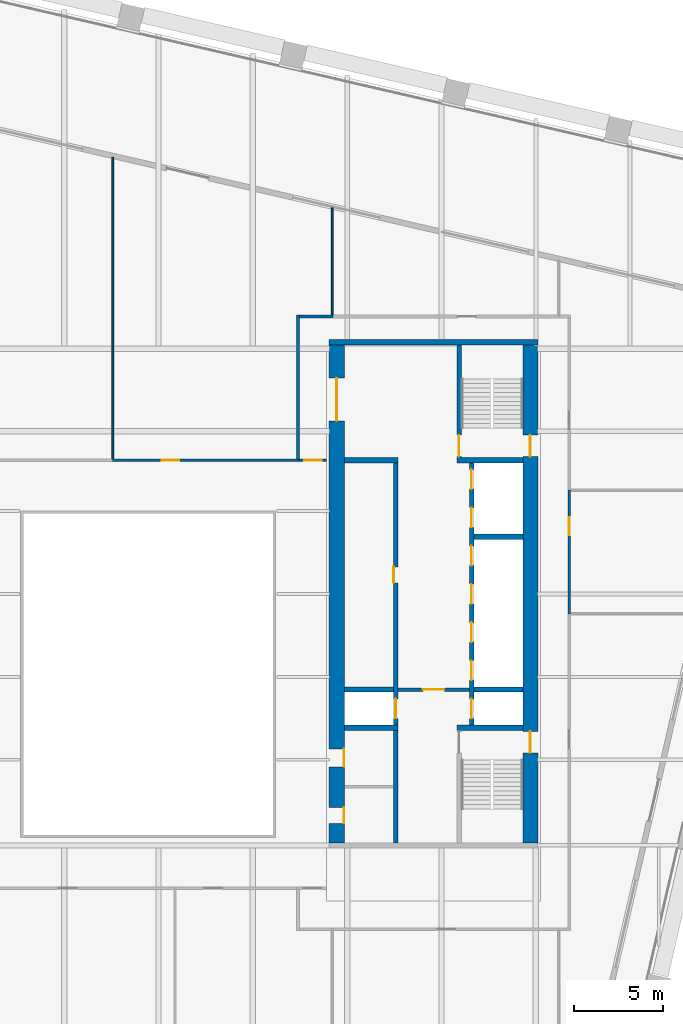
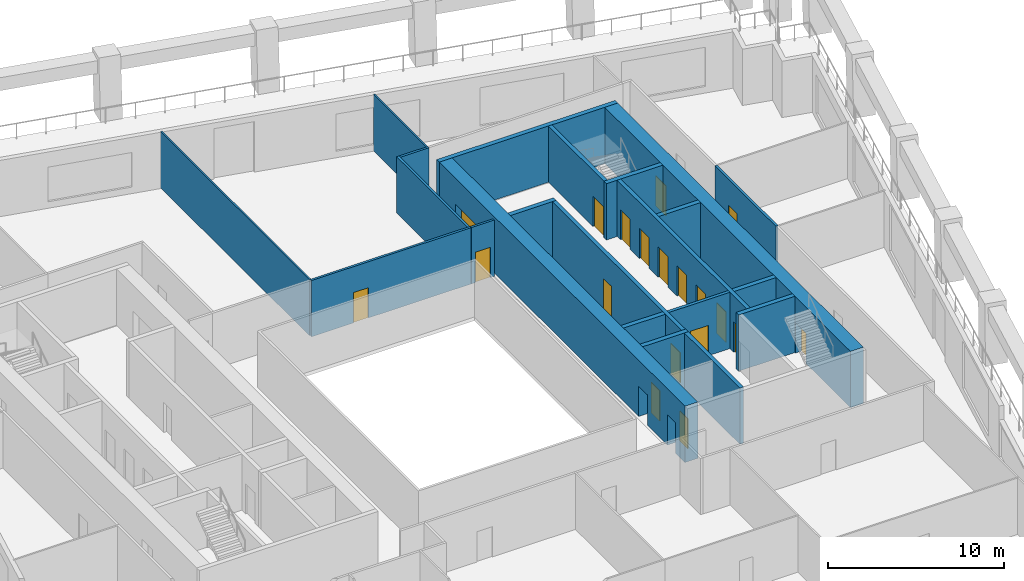
# One storey, part 9 of 12: 21 walls, 19 doors, 19 openings.
"""IFC4 building model written with IfcOpenShell, lengths in metres."""

from ifc_helpers import new_model, si_unit, direction, frame, frame_2d, origin, place, context, subcontext, project, spatial, rectangle, extrude, material, layer, layer_set, type_object, element, fill, save


model = new_model("IFC4")

# Units and contexts
model_context = context("Model", 3, precision=1e-05, world=origin(), true_north=direction((0.0, 1.0)))
body_context = subcontext(model_context, "Body", "Model", "MODEL_VIEW")
ifc_project = project(units=[si_unit("LENGTHUNIT", "METRE"), si_unit("AREAUNIT", "SQUARE_METRE"), si_unit("VOLUMEUNIT", "CUBIC_METRE"), si_unit("PLANEANGLEUNIT", "RADIAN"), si_unit("MASSUNIT", "GRAM", prefix="KILO")], contexts=[model_context])

# Site, building, storey
site_placement = place(None, origin())
site = spatial("IfcSite", under=ifc_project, at=site_placement, CompositionType="ELEMENT")
building_placement = place(site_placement, origin())
building = spatial("IfcBuilding", under=site, at=building_placement, Name="Ogive Exchange Tower", CompositionType="ELEMENT")
storey_placement = place(building_placement, frame((0.0, 0.0, 156.0)))
storey = spatial("IfcBuildingStorey", under=building, at=storey_placement, Name="L34", CompositionType="ELEMENT", Elevation=156.0)

# Wall
ifc_material_1 = material(Name="Gypsum board partition")
ifc_layer_1 = layer(ifc_material_1, 0.300048828125)
ifc_layer_set_1 = layer_set([ifc_layer_1], Name="Core room partition 300 gypsum")
wall_type_1 = type_object("IfcWallType", Name="Core room partition 300 gypsum", PredefinedType="PARTITIONING", material=ifc_layer_set_1)
wall_1_placement = place(storey_placement, frame((11.0, 19.0, 0.0), z_axis=(0.0, 0.0, 1.0), x_axis=(1.0, 0.0, 0.0)))
element("IfcWall", 1, at=wall_1_placement, inside=storey, type_object=wall_type_1, Name="E row B room end wall 7", PredefinedType="PARTITIONING", context=body_context, shape_type="SweptSolid", body=[
    extrude(rectangle(XDim=3.0, YDim=0.300048828125, at=frame_2d((1.5, 0.0))), origin(), (0.0, 0.0, 1.0), 3.89990234375),
])

# Wall, opening, door
ifc_material_2 = material(Name="Fire partition EI 60 150")
ifc_layer_2 = layer(ifc_material_2, 0.14990234375)
ifc_layer_set_2 = layer_set([ifc_layer_2], Name="Fire partition EI 60 150")
wall_type_2 = type_object("IfcWallType", Name="Fire partition EI 60 150", PredefinedType="PARTITIONING", material=ifc_layer_set_2)
wall_2_placement = place(storey_placement, frame((-1.989990234375, 19.0, 0.0), z_axis=(0.0, 0.0, 1.0), x_axis=(1.0, 0.0, 0.0)))
wall_2 = element("IfcWall", 2, at=wall_2_placement, inside=storey, type_object=wall_type_2, Name="L34-PWL-032", PredefinedType="PARTITIONING", context=body_context, shape_type="SweptSolid", body=[
    extrude(rectangle(XDim=10.465087890625, YDim=0.14990234375, at=frame_2d((5.232421875, 0.0))), origin(), (0.0, 0.0, 1.0), 3.89990234375),
])
opening_1_placement = place(wall_2_placement, frame((2.739990234375, 0.0, 0.0)))
opening_1 = element("IfcOpeningElement", 3, at=opening_1_placement, cuts=wall_2, Name="Opening L34-I12", PredefinedType="OPENING", context=body_context, shape_type="SweptSolid", body=[
    extrude(rectangle(XDim=1.0, YDim=2.10009765625, at=frame_2d((0.5, 1.050048828125))), frame((0.0, 0.0849609375, 0.0), z_axis=(0.0, -1.0, 0.0), x_axis=(1.0, 0.0, 0.0)), (0.0, 0.0, 1.0), 0.169921875),
])
ifc_material_3 = material(Name="Fire door FD 30S 1000 x 2100")
door_type_1 = type_object("IfcDoorType", Name="Fire door FD 30S 1000 x 2100", OperationType="NOTDEFINED", PredefinedType="DOOR", material=ifc_material_3)
door_1_placement = place(opening_1_placement, origin())
door_1 = element("IfcDoor", 4, at=door_1_placement, inside=storey, type_object=door_type_1, Name="L34-IDR-012", ObjectType="DT3", OperationType="SINGLE_SWING_RIGHT", OverallHeight=2.10009765625, OverallWidth=1.0, PredefinedType="DOOR", context=body_context, shape_type="SweptSolid", body=[
    extrude(rectangle(XDim=1.0, YDim=2.10009765625, at=frame_2d((0.5, 1.050048828125))), frame((0.0, 0.02490234375, 0.0), z_axis=(0.0, -1.0, 0.0), x_axis=(1.0, 0.0, 0.0)), (0.0, 0.0, 1.0), 0.050048828125),
])
fill(opening_1, door_1)

# Walls
wall_3_placement = place(storey_placement, frame((8.39990234375, 19.074951171875, 0.0), z_axis=(0.0, 0.0, 1.0), x_axis=(0.0, 1.0, 0.0)))
element("IfcWall", 5, at=wall_3_placement, inside=storey, type_object=wall_type_2, Name="L34-PWL-038", PredefinedType="PARTITIONING", context=body_context, shape_type="SweptSolid", body=[
    extrude(rectangle(XDim=8.050048828125, YDim=0.14990234375, at=frame_2d((4.02490234375, 0.0))), origin(), (0.0, 0.0, 1.0), 3.89990234375),
])
wall_4_placement = place(storey_placement, frame((8.47509765625, 27.050048828125, 0.0), z_axis=(0.0, 0.0, 1.0), x_axis=(1.0, 0.0, 0.0)))
element("IfcWall", 6, at=wall_4_placement, inside=storey, type_object=wall_type_2, Name="L34-PWL-039", PredefinedType="PARTITIONING", context=body_context, shape_type="SweptSolid", body=[
    extrude(rectangle(XDim=1.89501953125, YDim=0.14990234375, at=frame_2d((0.947509765625, 0.0))), origin(), (0.0, 0.0, 1.0), 3.89990234375),
])

# Wall, opening, door
wall_5_placement = place(storey_placement, frame((23.60009765625, 17.320068359375, 0.0), z_axis=(0.0, 0.0, 1.0), x_axis=(0.0, -1.0, 0.0)))
wall_5 = element("IfcWall", 7, at=wall_5_placement, inside=storey, type_object=wall_type_2, Name="L34-PWL-056", PredefinedType="PARTITIONING", context=body_context, shape_type="SweptSolid", body=[
    extrude(rectangle(XDim=6.93017578125, YDim=0.14990234375, at=frame_2d((3.465087890625, 0.0))), origin(), (0.0, 0.0, 1.0), 3.89990234375),
])
opening_2_placement = place(wall_5_placement, frame((1.530029296875, 0.0, 0.0)))
opening_2 = element("IfcOpeningElement", 8, at=opening_2_placement, cuts=wall_5, Name="Opening L34-I05", PredefinedType="OPENING", context=body_context, shape_type="SweptSolid", body=[
    extrude(rectangle(XDim=1.0, YDim=2.10009765625, at=frame_2d((0.5, 1.050048828125))), frame((0.0, 0.0849609375, 0.0), z_axis=(0.0, -1.0, 0.0), x_axis=(1.0, 0.0, 0.0)), (0.0, 0.0, 1.0), 0.169921875),
])
door_2_placement = place(opening_2_placement, origin())
door_2 = element("IfcDoor", 9, at=door_2_placement, inside=storey, type_object=door_type_1, Name="L34-IDR-005", ObjectType="DT3", OperationType="SINGLE_SWING_RIGHT", OverallHeight=2.10009765625, OverallWidth=1.0, PredefinedType="DOOR", context=body_context, shape_type="SweptSolid", body=[
    extrude(rectangle(XDim=1.0, YDim=2.10009765625, at=frame_2d((0.5, 1.050048828125))), frame((0.0, 0.02490234375, 0.0), z_axis=(0.0, -1.0, 0.0), x_axis=(1.0, 0.0, 0.0)), (0.0, 0.0, 1.0), 0.050048828125),
])
fill(opening_2, door_2)

wall_6_placement = place(storey_placement, frame((8.485107421875, 19.0, 0.0), z_axis=(0.0, 0.0, 1.0), x_axis=(1.0, 0.0, 0.0)))
wall_6 = element("IfcWall", 10, at=wall_6_placement, inside=storey, type_object=wall_type_2, Name="L34-PWL-061", PredefinedType="PARTITIONING", context=body_context, shape_type="SweptSolid", body=[
    extrude(rectangle(XDim=1.514892578125, YDim=0.14990234375, at=frame_2d((0.75732421875, 0.0))), origin(), (0.0, 0.0, 1.0), 3.89990234375),
])
opening_3_placement = place(wall_6_placement, frame((0.258056640625, 0.0, 0.0)))
opening_3 = element("IfcOpeningElement", 11, at=opening_3_placement, cuts=wall_6, Name="Opening L34-I23", PredefinedType="OPENING", context=body_context, shape_type="SweptSolid", body=[
    extrude(rectangle(XDim=1.0, YDim=2.10009765625, at=frame_2d((0.5, 1.050048828125))), frame((0.0, 0.0849609375, 0.0), z_axis=(0.0, -1.0, 0.0), x_axis=(1.0, 0.0, 0.0)), (0.0, 0.0, 1.0), 0.169921875),
])
door_3_placement = place(opening_3_placement, origin())
door_3 = element("IfcDoor", 12, at=door_3_placement, inside=storey, type_object=door_type_1, Name="L34-IDR-023", ObjectType="DT3", OperationType="SINGLE_SWING_LEFT", OverallHeight=2.10009765625, OverallWidth=1.0, PredefinedType="DOOR", context=body_context, shape_type="SweptSolid", body=[
    extrude(rectangle(XDim=1.0, YDim=2.10009765625, at=frame_2d((0.5, 1.050048828125))), frame((0.0, 0.02490234375, 0.0), z_axis=(0.0, -1.0, 0.0), x_axis=(1.0, 0.0, 0.0)), (0.0, 0.0, 1.0), 0.050048828125),
])
fill(opening_3, door_3)

# Walls
ifc_material_4 = material(Name="Partition 100 gypsum")
ifc_layer_3 = layer(ifc_material_4, 0.10009765625)
ifc_layer_set_3 = layer_set([ifc_layer_3], Name="Partition 100 gypsum")
wall_type_3 = type_object("IfcWallType", Name="Partition 100 gypsum", PredefinedType="PARTITIONING", material=ifc_layer_set_3)
wall_7_placement = place(storey_placement, frame((-1.989990234375, 19.074951171875, 0.0), z_axis=(0.0, 0.0, 1.0), x_axis=(0.0, 1.0, 0.0)))
element("IfcWall", 13, at=wall_7_placement, inside=storey, type_object=wall_type_3, Name="L34-PWL-031", PredefinedType="PARTITIONING", context=body_context, shape_type="SweptSolid", body=[
    extrude(rectangle(XDim=16.908935546875, YDim=0.10009765625, at=frame_2d((8.45458984375, 0.0))), origin(), (0.0, 0.0, 1.0), 3.89990234375),
])
wall_8_placement = place(storey_placement, frame((10.320068359375, 27.125, 0.0), z_axis=(0.0, 0.0, 1.0), x_axis=(0.0, 1.0, 0.0)))
element("IfcWall", 14, at=wall_8_placement, inside=storey, type_object=wall_type_3, Name="L34-PWL-044", PredefinedType="PARTITIONING", context=body_context, shape_type="SweptSolid", body=[
    extrude(rectangle(XDim=6.01708984375, YDim=0.10009765625, at=frame_2d((3.008544921875, 0.0))), origin(), (0.0, 0.0, 1.0), 3.89990234375),
])

# Wall, opening, door
ifc_material_5 = material(Name="Concrete C70/85", Category="concrete")
ifc_layer_4 = layer(ifc_material_5, 0.199951171875)
ifc_layer_set_4 = layer_set([ifc_layer_4], Name="RC core wall 200 C70/85")
wall_type_4 = type_object("IfcWallType", Name="RC core wall 200 C70/85", PredefinedType="SHEAR", material=ifc_layer_set_4)
wall_9_placement = place(storey_placement, frame((14.0, 6.142822265625, 0.0), z_axis=(0.0, 0.0, 1.0), x_axis=(1.0, 0.0, 0.0)))
wall_9 = element("IfcWall", 15, at=wall_9_placement, inside=storey, type_object=wall_type_4, Name="E firefighting lobby wall", PredefinedType="SHEAR", context=body_context, shape_type="SweptSolid", body=[
    extrude(rectangle(XDim=4.0, YDim=0.199951171875, at=frame_2d((2.0, 0.0))), origin(), (0.0, 0.0, 1.0), 3.89990234375),
])
opening_4_placement = place(wall_9_placement, frame((1.39990234375, 0.0, 0.0)))
opening_4 = element("IfcOpeningElement", 16, at=opening_4_placement, cuts=wall_9, Name="Opening L34-C28", PredefinedType="OPENING", context=body_context, shape_type="SweptSolid", body=[
    extrude(rectangle(XDim=1.199951171875, YDim=2.10009765625, at=frame_2d((0.60009765625, 1.050048828125))), frame((0.0, 0.10986328125, 0.0), z_axis=(0.0, -1.0, 0.0), x_axis=(1.0, 0.0, 0.0)), (0.0, 0.0, 1.0), 0.219970703125),
])
ifc_material_6 = material(Name="Steel fire door", Category="steel")
door_type_2 = type_object("IfcDoorType", Name="Firefighting lobby door FD60 1200 x 2100", OperationType="NOTDEFINED", PredefinedType="DOOR", material=ifc_material_6)
door_4_placement = place(opening_4_placement, frame((1.199951171875, 0.0, 0.0), z_axis=(0.0, 0.0, 1.0), x_axis=(-1.0, 0.0, 0.0)))
door_4 = element("IfcDoor", 17, at=door_4_placement, inside=storey, type_object=door_type_2, Name="Firefighting lobby door", ObjectType="CD3", OperationType="SINGLE_SWING_RIGHT", OverallHeight=2.10009765625, OverallWidth=1.199951171875, PredefinedType="DOOR", context=body_context, shape_type="SweptSolid", body=[
    extrude(rectangle(XDim=1.199951171875, YDim=2.10009765625, at=frame_2d((0.60009765625, 1.050048828125))), frame((0.0, 0.02490234375, 0.0), z_axis=(0.0, -1.0, 0.0), x_axis=(1.0, 0.0, 0.0)), (0.0, 0.0, 1.0), 0.050048828125),
])
fill(opening_4, door_4)

ifc_layer_5 = layer(ifc_material_5, 0.25)
ifc_layer_set_5 = layer_set([ifc_layer_5], Name="RC core wall 250 C70/85")
wall_type_5 = type_object("IfcWallType", Name="RC core wall 250 C70/85", PredefinedType="SHEAR", material=ifc_layer_set_5)
wall_10_placement = place(storey_placement, frame((17.425048828125, 19.14990234375, 0.0), z_axis=(0.0, 0.0, 1.0), x_axis=(0.0, 1.0, 0.0)))
wall_10 = element("IfcWall", 18, at=wall_10_placement, inside=storey, type_object=wall_type_5, Name="E stair N front wall", PredefinedType="SHEAR", context=body_context, shape_type="SweptSolid", body=[
    extrude(rectangle(XDim=6.300048828125, YDim=0.25, at=frame_2d((3.14990234375, 0.0))), origin(), (0.0, 0.0, 1.0), 3.89990234375),
])
opening_5_placement = place(wall_10_placement, frame((0.050048828125, 0.0, 0.0)))
opening_5 = element("IfcOpeningElement", 19, at=opening_5_placement, cuts=wall_10, Name="Opening L34-C32", PredefinedType="OPENING", context=body_context, shape_type="SweptSolid", body=[
    extrude(rectangle(XDim=1.199951171875, YDim=2.10009765625, at=frame_2d((0.60009765625, 1.050048828125))), frame((0.0, 0.135009765625, 0.0), z_axis=(0.0, -1.0, 0.0), x_axis=(1.0, 0.0, 0.0)), (0.0, 0.0, 1.0), 0.27001953125),
])
door_type_3 = type_object("IfcDoorType", Name="Stair door FD90 1200 x 2100", OperationType="NOTDEFINED", PredefinedType="DOOR", material=ifc_material_6)
door_5_placement = place(opening_5_placement, frame((1.199951171875, 0.0, 0.0), z_axis=(0.0, 0.0, 1.0), x_axis=(-1.0, 0.0, 0.0)))
door_5 = element("IfcDoor", 20, at=door_5_placement, inside=storey, type_object=door_type_3, Name="Stair door", ObjectType="CD5", OperationType="SINGLE_SWING_LEFT", OverallHeight=2.10009765625, OverallWidth=1.199951171875, PredefinedType="DOOR", context=body_context, shape_type="SweptSolid", body=[
    extrude(rectangle(XDim=1.199951171875, YDim=2.10009765625, at=frame_2d((0.60009765625, 1.050048828125))), frame((0.0, 0.02490234375, 0.0), z_axis=(0.0, -1.0, 0.0), x_axis=(1.0, 0.0, 0.0)), (0.0, 0.0, 1.0), 0.050048828125),
])
fill(opening_5, door_5)

# Wall, openings, doors
wall_11_placement = place(storey_placement, frame((18.125, 4.14990234375, 0.0), z_axis=(0.0, 0.0, 1.0), x_axis=(0.0, 1.0, 0.0)))
wall_11 = element("IfcWall", 21, at=wall_11_placement, inside=storey, type_object=wall_type_5, Name="E row A front wall", PredefinedType="SHEAR", context=body_context, shape_type="SweptSolid", body=[
    extrude(rectangle(XDim=14.7001953125, YDim=0.25, at=frame_2d((7.35009765625, 0.0))), origin(), (0.0, 0.0, 1.0), 3.89990234375),
])
opening_6_placement = place(wall_11_placement, frame((0.371337890625, 0.0, 0.0)))
opening_6 = element("IfcOpeningElement", 22, at=opening_6_placement, cuts=wall_11, Name="Opening L34-C19", PredefinedType="OPENING", context=body_context, shape_type="SweptSolid", body=[
    extrude(rectangle(XDim=1.10009765625, YDim=2.10009765625, at=frame_2d((0.550048828125, 1.050048828125))), frame((0.0, 0.135009765625, 0.0), z_axis=(0.0, -1.0, 0.0), x_axis=(1.0, 0.0, 0.0)), (0.0, 0.0, 1.0), 0.27001953125),
])
opening_7_placement = place(wall_11_placement, frame((2.514404296875, 0.0, 0.0)))
opening_7 = element("IfcOpeningElement", 23, at=opening_7_placement, cuts=wall_11, Name="Opening L34-C20", PredefinedType="OPENING", context=body_context, shape_type="SweptSolid", body=[
    extrude(rectangle(XDim=1.10009765625, YDim=2.10009765625, at=frame_2d((0.550048828125, 1.050048828125))), frame((0.0, 0.135009765625, 0.0), z_axis=(0.0, -1.0, 0.0), x_axis=(1.0, 0.0, 0.0)), (0.0, 0.0, 1.0), 0.27001953125),
])
opening_8_placement = place(wall_11_placement, frame((4.656982421875, 0.0, 0.0)))
opening_8 = element("IfcOpeningElement", 24, at=opening_8_placement, cuts=wall_11, Name="Opening L34-C21", PredefinedType="OPENING", context=body_context, shape_type="SweptSolid", body=[
    extrude(rectangle(XDim=1.10009765625, YDim=2.10009765625, at=frame_2d((0.550048828125, 1.050048828125))), frame((0.0, 0.135009765625, 0.0), z_axis=(0.0, -1.0, 0.0), x_axis=(1.0, 0.0, 0.0)), (0.0, 0.0, 1.0), 0.27001953125),
])
opening_9_placement = place(wall_11_placement, frame((6.800048828125, 0.0, 0.0)))
opening_9 = element("IfcOpeningElement", 25, at=opening_9_placement, cuts=wall_11, Name="Opening L34-C22", PredefinedType="OPENING", context=body_context, shape_type="SweptSolid", body=[
    extrude(rectangle(XDim=1.10009765625, YDim=2.10009765625, at=frame_2d((0.550048828125, 1.050048828125))), frame((0.0, 0.135009765625, 0.0), z_axis=(0.0, -1.0, 0.0), x_axis=(1.0, 0.0, 0.0)), (0.0, 0.0, 1.0), 0.27001953125),
])
opening_10_placement = place(wall_11_placement, frame((8.94287109375, 0.0, 0.0)))
opening_10 = element("IfcOpeningElement", 26, at=opening_10_placement, cuts=wall_11, Name="Opening L34-C23", PredefinedType="OPENING", context=body_context, shape_type="SweptSolid", body=[
    extrude(rectangle(XDim=1.10009765625, YDim=2.10009765625, at=frame_2d((0.550048828125, 1.050048828125))), frame((0.0, 0.135009765625, 0.0), z_axis=(0.0, -1.0, 0.0), x_axis=(1.0, 0.0, 0.0)), (0.0, 0.0, 1.0), 0.27001953125),
])
opening_11_placement = place(wall_11_placement, frame((11.085693359375, 0.0, 0.0)))
opening_11 = element("IfcOpeningElement", 27, at=opening_11_placement, cuts=wall_11, Name="Opening L34-C24", PredefinedType="OPENING", context=body_context, shape_type="SweptSolid", body=[
    extrude(rectangle(XDim=1.10009765625, YDim=2.10009765625, at=frame_2d((0.550048828125, 1.050048828125))), frame((0.0, 0.135009765625, 0.0), z_axis=(0.0, -1.0, 0.0), x_axis=(1.0, 0.0, 0.0)), (0.0, 0.0, 1.0), 0.27001953125),
])
opening_12_placement = place(wall_11_placement, frame((13.228515625, 0.0, 0.0)))
opening_12 = element("IfcOpeningElement", 28, at=opening_12_placement, cuts=wall_11, Name="Opening L34-C25", PredefinedType="OPENING", context=body_context, shape_type="SweptSolid", body=[
    extrude(rectangle(XDim=1.10009765625, YDim=2.10009765625, at=frame_2d((0.550048828125, 1.050048828125))), frame((0.0, 0.135009765625, 0.0), z_axis=(0.0, -1.0, 0.0), x_axis=(1.0, 0.0, 0.0)), (0.0, 0.0, 1.0), 0.27001953125),
])
ifc_material_7 = material(Name="Stainless steel", Category="steel")
door_type_4 = type_object("IfcDoorType", Name="Lift landing door FD90 1100 x 2100", OperationType="SLIDING_TO_LEFT", PredefinedType="DOOR", material=ifc_material_7)
door_6_placement = place(opening_6_placement, origin())
door_6 = element("IfcDoor", 29, at=door_6_placement, inside=storey, type_object=door_type_4, Name="Lift landing door FF2", ObjectType="LD", OperationType="SLIDING_TO_LEFT", OverallHeight=2.10009765625, OverallWidth=1.10009765625, PredefinedType="DOOR", context=body_context, shape_type="SweptSolid", body=[
    extrude(rectangle(XDim=1.10009765625, YDim=2.10009765625, at=frame_2d((0.550048828125, 1.050048828125))), frame((0.0, 0.02490234375, 0.0), z_axis=(0.0, -1.0, 0.0), x_axis=(1.0, 0.0, 0.0)), (0.0, 0.0, 1.0), 0.050048828125),
])
fill(opening_6, door_6)
door_7_placement = place(opening_7_placement, origin())
door_7 = element("IfcDoor", 30, at=door_7_placement, inside=storey, type_object=door_type_4, Name="Lift landing door E-L1", ObjectType="LD", OperationType="SLIDING_TO_LEFT", OverallHeight=2.10009765625, OverallWidth=1.10009765625, PredefinedType="DOOR", context=body_context, shape_type="SweptSolid", body=[
    extrude(rectangle(XDim=1.10009765625, YDim=2.10009765625, at=frame_2d((0.550048828125, 1.050048828125))), frame((0.0, 0.02490234375, 0.0), z_axis=(0.0, -1.0, 0.0), x_axis=(1.0, 0.0, 0.0)), (0.0, 0.0, 1.0), 0.050048828125),
])
fill(opening_7, door_7)
door_8_placement = place(opening_8_placement, origin())
door_8 = element("IfcDoor", 31, at=door_8_placement, inside=storey, type_object=door_type_4, Name="Lift landing door E-L2", ObjectType="LD", OperationType="SLIDING_TO_LEFT", OverallHeight=2.10009765625, OverallWidth=1.10009765625, PredefinedType="DOOR", context=body_context, shape_type="SweptSolid", body=[
    extrude(rectangle(XDim=1.10009765625, YDim=2.10009765625, at=frame_2d((0.550048828125, 1.050048828125))), frame((0.0, 0.02490234375, 0.0), z_axis=(0.0, -1.0, 0.0), x_axis=(1.0, 0.0, 0.0)), (0.0, 0.0, 1.0), 0.050048828125),
])
fill(opening_8, door_8)
door_9_placement = place(opening_9_placement, origin())
door_9 = element("IfcDoor", 32, at=door_9_placement, inside=storey, type_object=door_type_4, Name="Lift landing door E-L3", ObjectType="LD", OperationType="SLIDING_TO_LEFT", OverallHeight=2.10009765625, OverallWidth=1.10009765625, PredefinedType="DOOR", context=body_context, shape_type="SweptSolid", body=[
    extrude(rectangle(XDim=1.10009765625, YDim=2.10009765625, at=frame_2d((0.550048828125, 1.050048828125))), frame((0.0, 0.02490234375, 0.0), z_axis=(0.0, -1.0, 0.0), x_axis=(1.0, 0.0, 0.0)), (0.0, 0.0, 1.0), 0.050048828125),
])
fill(opening_9, door_9)
door_10_placement = place(opening_10_placement, origin())
door_10 = element("IfcDoor", 33, at=door_10_placement, inside=storey, type_object=door_type_4, Name="Lift landing door E-L4", ObjectType="LD", OperationType="SLIDING_TO_LEFT", OverallHeight=2.10009765625, OverallWidth=1.10009765625, PredefinedType="DOOR", context=body_context, shape_type="SweptSolid", body=[
    extrude(rectangle(XDim=1.10009765625, YDim=2.10009765625, at=frame_2d((0.550048828125, 1.050048828125))), frame((0.0, 0.02490234375, 0.0), z_axis=(0.0, -1.0, 0.0), x_axis=(1.0, 0.0, 0.0)), (0.0, 0.0, 1.0), 0.050048828125),
])
fill(opening_10, door_10)
door_11_placement = place(opening_11_placement, origin())
door_11 = element("IfcDoor", 34, at=door_11_placement, inside=storey, type_object=door_type_4, Name="Lift landing door E-SH1", ObjectType="LD", OperationType="SLIDING_TO_LEFT", OverallHeight=2.10009765625, OverallWidth=1.10009765625, PredefinedType="DOOR", context=body_context, shape_type="SweptSolid", body=[
    extrude(rectangle(XDim=1.10009765625, YDim=2.10009765625, at=frame_2d((0.550048828125, 1.050048828125))), frame((0.0, 0.02490234375, 0.0), z_axis=(0.0, -1.0, 0.0), x_axis=(1.0, 0.0, 0.0)), (0.0, 0.0, 1.0), 0.050048828125),
])
fill(opening_11, door_11)
door_12_placement = place(opening_12_placement, origin())
door_12 = element("IfcDoor", 35, at=door_12_placement, inside=storey, type_object=door_type_4, Name="Lift landing door E-SH2", ObjectType="LD", OperationType="SLIDING_TO_LEFT", OverallHeight=2.10009765625, OverallWidth=1.10009765625, PredefinedType="DOOR", context=body_context, shape_type="SweptSolid", body=[
    extrude(rectangle(XDim=1.10009765625, YDim=2.10009765625, at=frame_2d((0.550048828125, 1.050048828125))), frame((0.0, 0.02490234375, 0.0), z_axis=(0.0, -1.0, 0.0), x_axis=(1.0, 0.0, 0.0)), (0.0, 0.0, 1.0), 0.050048828125),
])
fill(opening_12, door_12)

wall_12_placement = place(storey_placement, frame((13.875, -2.449951171875, 0.0), z_axis=(0.0, 0.0, 1.0), x_axis=(0.0, 1.0, 0.0)))
wall_12 = element("IfcWall", 36, at=wall_12_placement, inside=storey, type_object=wall_type_5, Name="E row B front wall", PredefinedType="SHEAR", context=body_context, shape_type="SweptSolid", body=[
    extrude(rectangle(XDim=21.300048828125, YDim=0.25, at=frame_2d((10.64990234375, 0.0))), origin(), (0.0, 0.0, 1.0), 3.89990234375),
])
opening_13_placement = place(wall_12_placement, frame((14.5712890625, 0.0, 0.0)))
opening_13 = element("IfcOpeningElement", 37, at=opening_13_placement, cuts=wall_12, Name="Opening L34-C26", PredefinedType="OPENING", context=body_context, shape_type="SweptSolid", body=[
    extrude(rectangle(XDim=0.89990234375, YDim=2.10009765625, at=frame_2d((0.449951171875, 1.050048828125))), frame((0.0, 0.135009765625, 0.0), z_axis=(0.0, -1.0, 0.0), x_axis=(1.0, 0.0, 0.0)), (0.0, 0.0, 1.0), 0.27001953125),
])
opening_14_placement = place(wall_12_placement, frame((6.971435546875, 0.0, 0.0)))
opening_14 = element("IfcOpeningElement", 38, at=opening_14_placement, cuts=wall_12, Name="Opening L34-C27", PredefinedType="OPENING", context=body_context, shape_type="SweptSolid", body=[
    extrude(rectangle(XDim=1.10009765625, YDim=2.10009765625, at=frame_2d((0.550048828125, 1.050048828125))), frame((0.0, 0.135009765625, 0.0), z_axis=(0.0, -1.0, 0.0), x_axis=(1.0, 0.0, 0.0)), (0.0, 0.0, 1.0), 0.27001953125),
])
door_13_placement = place(opening_14_placement, origin())
door_13 = element("IfcDoor", 39, at=door_13_placement, inside=storey, type_object=door_type_4, Name="Lift landing door SV2", ObjectType="LD", OperationType="SLIDING_TO_LEFT", OverallHeight=2.10009765625, OverallWidth=1.10009765625, PredefinedType="DOOR", context=body_context, shape_type="SweptSolid", body=[
    extrude(rectangle(XDim=1.10009765625, YDim=2.10009765625, at=frame_2d((0.550048828125, 1.050048828125))), frame((0.0, 0.02490234375, 0.0), z_axis=(0.0, -1.0, 0.0), x_axis=(1.0, 0.0, 0.0)), (0.0, 0.0, 1.0), 0.050048828125),
])
fill(opening_14, door_13)
door_type_5 = type_object("IfcDoorType", Name="Riser door FD60 900 x 2100", OperationType="NOTDEFINED", PredefinedType="DOOR", material=ifc_material_6)
door_14_placement = place(opening_13_placement, origin())
door_14 = element("IfcDoor", 40, at=door_14_placement, inside=storey, type_object=door_type_5, Name="Riser door", ObjectType="CD2", OperationType="SINGLE_SWING_RIGHT", OverallHeight=2.10009765625, OverallWidth=0.89990234375, PredefinedType="DOOR", context=body_context, shape_type="SweptSolid", body=[
    extrude(rectangle(XDim=0.89990234375, YDim=2.10009765625, at=frame_2d((0.449951171875, 1.050048828125))), frame((0.0, 0.125, 0.0), z_axis=(0.0, -1.0, 0.0), x_axis=(1.0, 0.0, 0.0)), (0.0, 0.0, 1.0), 0.050048828125),
])
fill(opening_13, door_14)

# Walls
ifc_layer_6 = layer(ifc_material_5, 0.300048828125)
ifc_layer_set_6 = layer_set([ifc_layer_6], Name="RC core wall 300 C70/85")
wall_type_6 = type_object("IfcWallType", Name="RC core wall 300 C70/85", PredefinedType="SHEAR", material=ifc_layer_set_6)
wall_13_placement = place(storey_placement, frame((10.14990234375, 25.60009765625, 0.0), z_axis=(0.0, 0.0, 1.0), x_axis=(1.0, 0.0, 0.0)))
element("IfcWall", 41, at=wall_13_placement, inside=storey, type_object=wall_type_6, Name="E north end wall", PredefinedType="SHEAR", context=body_context, shape_type="SweptSolid", body=[
    extrude(rectangle(XDim=11.7001953125, YDim=0.300048828125, at=frame_2d((5.85009765625, 0.0))), origin(), (0.0, 0.0, 1.0), 3.89990234375),
])
for number, where, z_axis, x_axis, name in (
    (42, (17.300048828125, 4.0, 0.0), (0.0, 0.0, 1.0), (1.0, 0.0, 0.0), "E stair S north wall"),
    (43, (17.300048828125, 19.0, 0.0), (0.0, 0.0, 1.0), (1.0, 0.0, 0.0), "E stair N south wall"),
):
    element("IfcWall", number, at=place(storey_placement, frame(where, z_axis=z_axis, x_axis=x_axis)), inside=storey, type_object=wall_type_6, Name=name, PredefinedType="SHEAR", context=body_context, shape_type="SweptSolid", body=[
        extrude(rectangle(XDim=3.699951171875, YDim=0.300048828125, at=frame_2d((1.85009765625, 0.0))), origin(), (0.0, 0.0, 1.0), 3.89990234375),
    ])
for number, where, z_axis, x_axis, name in (
    (44, (18.25, 6.142822265625, 0.0), (0.0, 0.0, 1.0), (1.0, 0.0, 0.0), "E row A divider 1"),
    (45, (18.25, 14.71435546875, 0.0), (0.0, 0.0, 1.0), (1.0, 0.0, 0.0), "E row A divider 5"),
):
    element("IfcWall", number, at=place(storey_placement, frame(where, z_axis=z_axis, x_axis=x_axis)), inside=storey, type_object=wall_type_6, Name=name, PredefinedType="SHEAR", context=body_context, shape_type="SweptSolid", body=[
        extrude(rectangle(XDim=2.75, YDim=0.300048828125, at=frame_2d((1.375, 0.0))), origin(), (0.0, 0.0, 1.0), 3.89990234375),
    ])
wall_14_placement = place(storey_placement, frame((11.0, 4.0, 0.0), z_axis=(0.0, 0.0, 1.0), x_axis=(1.0, 0.0, 0.0)))
element("IfcWall", 46, at=wall_14_placement, inside=storey, type_object=wall_type_6, Name="E row B divider 0", PredefinedType="SHEAR", context=body_context, shape_type="SweptSolid", body=[
    extrude(rectangle(XDim=3.0, YDim=0.300048828125, at=frame_2d((1.5, 0.0))), origin(), (0.0, 0.0, 1.0), 3.89990234375),
])
wall_15_placement = place(storey_placement, frame((11.0, 6.142822265625, 0.0), z_axis=(0.0, 0.0, 1.0), x_axis=(1.0, 0.0, 0.0)))
element("IfcWall", 47, at=wall_15_placement, inside=storey, type_object=wall_type_6, Name="E row B divider 1", PredefinedType="SHEAR", context=body_context, shape_type="SweptSolid", body=[
    extrude(rectangle(XDim=2.75, YDim=0.300048828125, at=frame_2d((1.375, 0.0))), origin(), (0.0, 0.0, 1.0), 3.89990234375),
])

# Wall, openings, doors
ifc_layer_7 = layer(ifc_material_5, 0.85009765625)
ifc_layer_set_7 = layer_set([ifc_layer_7], Name="RC core wall 850 C70/85")
wall_type_7 = type_object("IfcWallType", Name="RC core wall 850 C70/85", PredefinedType="SHEAR", material=ifc_layer_set_7)
wall_16_placement = place(storey_placement, frame((21.425048828125, -2.449951171875, 0.0), z_axis=(0.0, 0.0, 1.0), x_axis=(0.0, 1.0, 0.0)))
wall_16 = element("IfcWall", 48, at=wall_16_placement, inside=storey, type_object=wall_type_7, Name="E outer wall", PredefinedType="SHEAR", context=body_context, shape_type="SweptSolid", body=[
    extrude(rectangle(XDim=27.89990234375, YDim=0.85009765625, at=frame_2d((13.949951171875, 0.0))), origin(), (0.0, 0.0, 1.0), 3.89990234375),
])
opening_15_placement = place(wall_16_placement, frame((5.050048828125, 0.0, 0.0)))
opening_15 = element("IfcOpeningElement", 49, at=opening_15_placement, cuts=wall_16, Name="Opening L34-C31", PredefinedType="OPENING", context=body_context, shape_type="SweptSolid", body=[
    extrude(rectangle(XDim=1.199951171875, YDim=2.10009765625, at=frame_2d((0.60009765625, 1.050048828125))), frame((0.0, 0.43505859375, 0.0), z_axis=(0.0, -1.0, 0.0), x_axis=(1.0, 0.0, 0.0)), (0.0, 0.0, 1.0), 0.8701171875),
])
opening_16_placement = place(wall_16_placement, frame((21.64990234375, 0.0, 0.0)))
opening_16 = element("IfcOpeningElement", 50, at=opening_16_placement, cuts=wall_16, Name="Opening L34-C33", PredefinedType="OPENING", context=body_context, shape_type="SweptSolid", body=[
    extrude(rectangle(XDim=1.199951171875, YDim=2.10009765625, at=frame_2d((0.60009765625, 1.050048828125))), frame((0.0, 0.43505859375, 0.0), z_axis=(0.0, -1.0, 0.0), x_axis=(1.0, 0.0, 0.0)), (0.0, 0.0, 1.0), 0.8701171875),
])
door_15_placement = place(opening_15_placement, origin())
door_15 = element("IfcDoor", 51, at=door_15_placement, inside=storey, type_object=door_type_3, Name="Stair door", ObjectType="CD5", OperationType="SINGLE_SWING_LEFT", OverallHeight=2.10009765625, OverallWidth=1.199951171875, PredefinedType="DOOR", context=body_context, shape_type="SweptSolid", body=[
    extrude(rectangle(XDim=1.199951171875, YDim=2.10009765625, at=frame_2d((0.60009765625, 1.050048828125))), frame((0.0, 0.02490234375, 0.0), z_axis=(0.0, -1.0, 0.0), x_axis=(1.0, 0.0, 0.0)), (0.0, 0.0, 1.0), 0.050048828125),
])
fill(opening_15, door_15)
door_16_placement = place(opening_16_placement, origin())
door_16 = element("IfcDoor", 52, at=door_16_placement, inside=storey, type_object=door_type_3, Name="Stair door", ObjectType="CD5", OperationType="SINGLE_SWING_RIGHT", OverallHeight=2.10009765625, OverallWidth=1.199951171875, PredefinedType="DOOR", context=body_context, shape_type="SweptSolid", body=[
    extrude(rectangle(XDim=1.199951171875, YDim=2.10009765625, at=frame_2d((0.60009765625, 1.050048828125))), frame((0.0, 0.02490234375, 0.0), z_axis=(0.0, -1.0, 0.0), x_axis=(1.0, 0.0, 0.0)), (0.0, 0.0, 1.0), 0.050048828125),
])
fill(opening_16, door_16)

wall_17_placement = place(storey_placement, frame((10.574951171875, -2.449951171875, 0.0), z_axis=(0.0, 0.0, 1.0), x_axis=(0.0, 1.0, 0.0)))
wall_17 = element("IfcWall", 53, at=wall_17_placement, inside=storey, type_object=wall_type_7, Name="E inner wall", PredefinedType="SHEAR", context=body_context, shape_type="SweptSolid", body=[
    extrude(rectangle(XDim=27.89990234375, YDim=0.85009765625, at=frame_2d((13.949951171875, 0.0))), origin(), (0.0, 0.0, 1.0), 3.89990234375),
])
opening_17_placement = place(wall_17_placement, frame((23.64990234375, 0.0, 0.0)))
opening_17 = element("IfcOpeningElement", 54, at=opening_17_placement, cuts=wall_17, Name="Opening L34-C29", PredefinedType="OPENING", context=body_context, shape_type="SweptSolid", body=[
    extrude(rectangle(XDim=2.39990234375, YDim=2.10009765625, at=frame_2d((1.199951171875, 1.050048828125))), frame((0.0, 0.43505859375, 0.0), z_axis=(0.0, -1.0, 0.0), x_axis=(1.0, 0.0, 0.0)), (0.0, 0.0, 1.0), 0.8701171875),
])
opening_18_placement = place(wall_17_placement, frame((1.08740234375, 0.0, 0.0)))
opening_18 = element("IfcOpeningElement", 55, at=opening_18_placement, cuts=wall_17, Name="Opening L34-C34", PredefinedType="OPENING", context=body_context, shape_type="SweptSolid", body=[
    extrude(rectangle(XDim=0.89990234375, YDim=2.10009765625, at=frame_2d((0.449951171875, 1.050048828125))), frame((0.0, 0.43505859375, 0.0), z_axis=(0.0, -1.0, 0.0), x_axis=(1.0, 0.0, 0.0)), (0.0, 0.0, 1.0), 0.8701171875),
])
opening_19_placement = place(wall_17_placement, frame((4.262451171875, 0.0, 0.0)))
opening_19 = element("IfcOpeningElement", 56, at=opening_19_placement, cuts=wall_17, Name="Opening L34-C35", PredefinedType="OPENING", context=body_context, shape_type="SweptSolid", body=[
    extrude(rectangle(XDim=1.0, YDim=2.10009765625, at=frame_2d((0.5, 1.050048828125))), frame((0.0, 0.43505859375, 0.0), z_axis=(0.0, -1.0, 0.0), x_axis=(1.0, 0.0, 0.0)), (0.0, 0.0, 1.0), 0.8701171875),
])
ifc_material_8 = material(Name="Timber fire door", Category="wood")
door_type_6 = type_object("IfcDoorType", Name="Accessible WC door FD30S 1000 x 2100", OperationType="NOTDEFINED", PredefinedType="DOOR", material=ifc_material_8)
door_17_placement = place(opening_19_placement, frame((1.0, -0.7998046875, 0.0), z_axis=(0.0, 0.0, 1.0), x_axis=(-1.0, 0.0, 0.0)))
door_17 = element("IfcDoor", 57, at=door_17_placement, inside=storey, type_object=door_type_6, Name="Accessible WC door", ObjectType="CD7", OperationType="SINGLE_SWING_RIGHT", OverallHeight=2.10009765625, OverallWidth=1.0, PredefinedType="DOOR", context=body_context, shape_type="SweptSolid", body=[
    extrude(rectangle(XDim=1.0, YDim=2.10009765625, at=frame_2d((0.5, 1.050048828125))), frame((0.0, -0.375, 0.0), z_axis=(0.0, -1.0, 0.0), x_axis=(1.0, 0.0, 0.0)), (0.0, 0.0, 1.0), 0.050048828125),
])
fill(opening_19, door_17)
door_type_7 = type_object("IfcDoorType", Name="Core room door FD30S 900 x 2100", OperationType="NOTDEFINED", PredefinedType="DOOR", material=ifc_material_8)
door_18_placement = place(opening_18_placement, frame((0.89990234375, -0.7998046875, 0.0), z_axis=(0.0, 0.0, 1.0), x_axis=(-1.0, 0.0, 0.0)))
door_18 = element("IfcDoor", 58, at=door_18_placement, inside=storey, type_object=door_type_7, Name="Core room door", ObjectType="CD6", OperationType="SINGLE_SWING_RIGHT", OverallHeight=2.10009765625, OverallWidth=0.89990234375, PredefinedType="DOOR", context=body_context, shape_type="SweptSolid", body=[
    extrude(rectangle(XDim=0.89990234375, YDim=2.10009765625, at=frame_2d((0.449951171875, 1.050048828125))), frame((0.0, -0.375, 0.0), z_axis=(0.0, -1.0, 0.0), x_axis=(1.0, 0.0, 0.0)), (0.0, 0.0, 1.0), 0.050048828125),
])
fill(opening_18, door_18)
ifc_material_9 = material(Name="Glazed steel fire door", Category="steel")
door_type_8 = type_object("IfcDoorType", Name="Lift lobby double door FD60 2400 x 2100", OperationType="DOUBLE_DOOR_SINGLE_SWING", PredefinedType="DOOR", material=ifc_material_9)
door_19_placement = place(opening_17_placement, frame((2.39990234375, 0.0, 0.0), z_axis=(0.0, 0.0, 1.0), x_axis=(-1.0, 0.0, 0.0)))
door_19 = element("IfcDoor", 59, at=door_19_placement, inside=storey, type_object=door_type_8, Name="Lift lobby double door", ObjectType="CD4", OperationType="DOUBLE_DOOR_SINGLE_SWING", OverallHeight=2.10009765625, OverallWidth=2.39990234375, PredefinedType="DOOR", context=body_context, shape_type="SweptSolid", body=[
    extrude(rectangle(XDim=2.39990234375, YDim=2.10009765625, at=frame_2d((1.199951171875, 1.050048828125))), frame((0.0, 0.02490234375, 0.0), z_axis=(0.0, -1.0, 0.0), x_axis=(1.0, 0.0, 0.0)), (0.0, 0.0, 1.0), 0.050048828125),
])
fill(opening_17, door_19)

save(model, "model.ifc")
